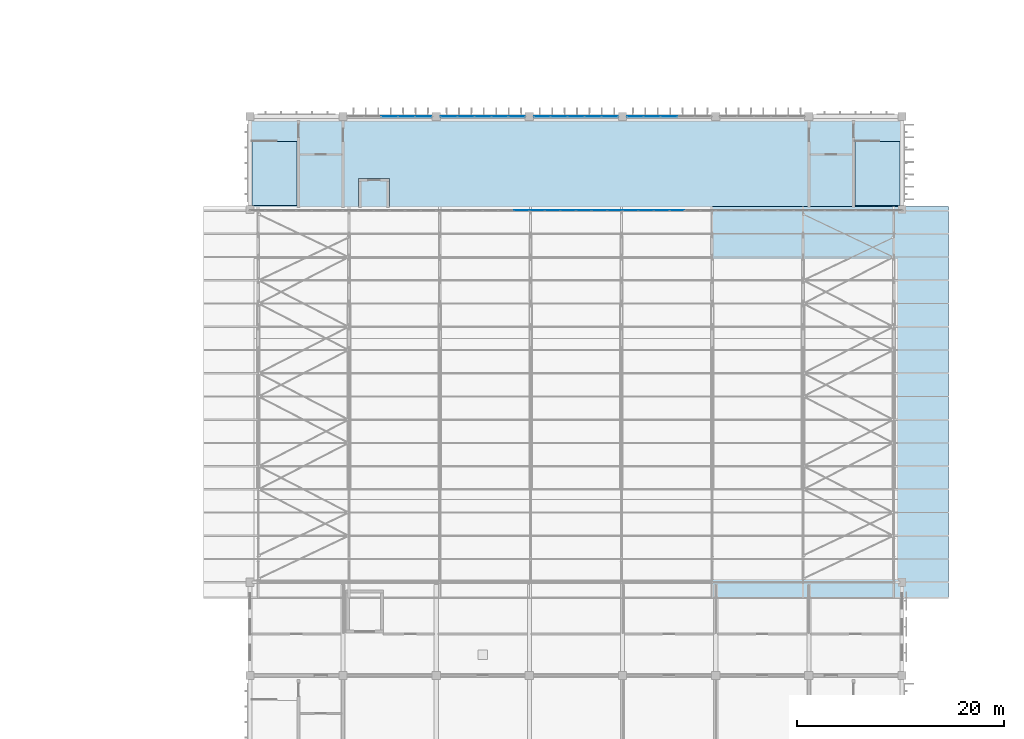
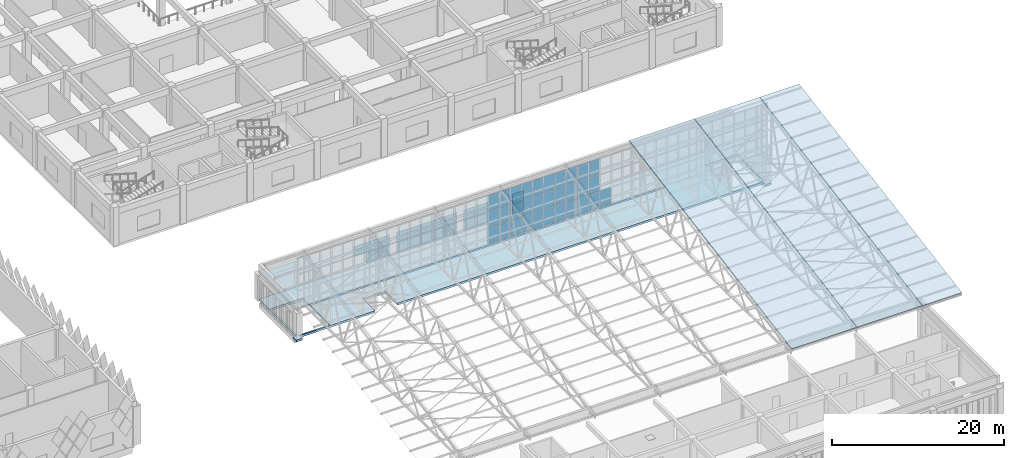
# One storey, part 95 of 185: 62 plates, 5 slabs, 5 elements without a shape of their own.
"""IFC4 building model written with IfcOpenShell, lengths in metres."""

from ifc_helpers import new_model, si_unit, direction, frame, origin, origin_2d, place, context, subcontext, project, spatial, polyline, rectangle, outline, extrude, material, layer, layer_set, type_object, element, aggregate, save


model = new_model("IFC4")

# Units and contexts
model_context = context("Model", 3, precision=1e-05, world=origin(), true_north=direction((0.0, 1.0)))
body_context = subcontext(model_context, "Body", "Model", "MODEL_VIEW")
ifc_project = project(units=[si_unit("LENGTHUNIT", "METRE"), si_unit("AREAUNIT", "SQUARE_METRE"), si_unit("VOLUMEUNIT", "CUBIC_METRE"), si_unit("PLANEANGLEUNIT", "RADIAN"), si_unit("MASSUNIT", "GRAM", prefix="KILO")], contexts=[model_context])

# Site, building, storey
site_placement = place(None, origin())
site = spatial("IfcSite", under=ifc_project, at=site_placement, CompositionType="ELEMENT")
building_placement = place(site_placement, origin())
building = spatial("IfcBuilding", under=site, at=building_placement, Name="Opaline Strait Convention Centre", CompositionType="ELEMENT")
storey_placement = place(building_placement, frame((0.0, 0.0, 6.0)))
storey = spatial("IfcBuildingStorey", under=building, at=storey_placement, Name="L01", CompositionType="ELEMENT", Elevation=6.0)

# Curtain wall, plates
ifc_material_1 = material(Name="Aluminium 6063-T5", Category="aluminium")
ifc_layer_1 = layer(ifc_material_1, 0.199951171875)
ifc_layer_set_1 = layer_set([ifc_layer_1], Name="Aluminium 6063-T5")
curtain_wall_type = type_object("IfcCurtainWallType", Name="Unitised curtain wall 1640 module", PredefinedType="NOTDEFINED", material=ifc_layer_set_1)
curtain_wall_1_placement = place(storey_placement, origin())
curtain_wall_1 = element("IfcCurtainWall", 1, at=curtain_wall_1_placement, inside=storey, type_object=curtain_wall_type, Name="Ballroom north curtain wall L01 bay 2", PredefinedType="NOTDEFINED")
ifc_material_2 = material(Name="Double glazed unit low emissivity", Category="glass")
ifc_layer_2 = layer(ifc_material_2, 0.028076171875)
ifc_layer_set_2 = layer_set([ifc_layer_2], Name="Double glazed unit low emissivity")
plate_type = type_object("IfcPlateType", Name="Curtain wall glass panel 28", PredefinedType="CURTAIN_PANEL", material=ifc_layer_set_2)
plate_1_placement = place(storey_placement, frame((301.5, 72.0, 1.554931640625), z_axis=(0.0, 0.0, 1.0), x_axis=(1.0, 0.0, 0.0)))
plate_1 = element("IfcPlate", 2, at=plate_1_placement, type_object=plate_type, Name="BG2 panel 3.2", PredefinedType="CURTAIN_PANEL", context=body_context, shape_type="SweptSolid", body=[
    extrude(rectangle(XDim=1.580078125, YDim=0.028076171875, at=origin_2d()), origin(), (0.0, 0.0, 1.0), 1.43505859375),
])
plate_2_placement = place(storey_placement, frame((303.14013671875, 72.0, 0.06005859375), z_axis=(0.0, 0.0, 1.0), x_axis=(1.0, 0.0, 0.0)))
plate_2 = element("IfcPlate", 3, at=plate_2_placement, type_object=plate_type, Name="BG2 panel 4.1", PredefinedType="CURTAIN_PANEL", context=body_context, shape_type="SweptSolid", body=[
    extrude(rectangle(XDim=1.580078125, YDim=0.028076171875, at=origin_2d()), origin(), (0.0, 0.0, 1.0), 1.43505859375),
])
plate_3_placement = place(storey_placement, frame((303.14013671875, 72.0, 1.554931640625), z_axis=(0.0, 0.0, 1.0), x_axis=(1.0, 0.0, 0.0)))
plate_3 = element("IfcPlate", 4, at=plate_3_placement, type_object=plate_type, Name="BG2 panel 4.2", PredefinedType="CURTAIN_PANEL", context=body_context, shape_type="SweptSolid", body=[
    extrude(rectangle(XDim=1.580078125, YDim=0.028076171875, at=origin_2d()), origin(), (0.0, 0.0, 1.0), 1.43505859375),
])
plate_4_placement = place(storey_placement, frame((304.76513671875, 72.0, 0.06005859375), z_axis=(0.0, 0.0, 1.0), x_axis=(1.0, 0.0, 0.0)))
plate_4 = element("IfcPlate", 5, at=plate_4_placement, type_object=plate_type, Name="BG2 panel 5.1", PredefinedType="CURTAIN_PANEL", context=body_context, shape_type="SweptSolid", body=[
    extrude(rectangle(XDim=1.550048828125, YDim=0.028076171875, at=origin_2d()), origin(), (0.0, 0.0, 1.0), 1.43505859375),
])
plate_5_placement = place(storey_placement, frame((304.76513671875, 72.0, 1.554931640625), z_axis=(0.0, 0.0, 1.0), x_axis=(1.0, 0.0, 0.0)))
plate_5 = element("IfcPlate", 6, at=plate_5_placement, type_object=plate_type, Name="BG2 panel 5.2", PredefinedType="CURTAIN_PANEL", context=body_context, shape_type="SweptSolid", body=[
    extrude(rectangle(XDim=1.550048828125, YDim=0.028076171875, at=origin_2d()), origin(), (0.0, 0.0, 1.0), 1.43505859375),
])
aggregate(curtain_wall_1, [plate_1, plate_2, plate_3, plate_4, plate_5])

curtain_wall_2_placement = place(storey_placement, origin())
curtain_wall_2 = element("IfcCurtainWall", 7, at=curtain_wall_2_placement, inside=storey, type_object=curtain_wall_type, Name="Ballroom north curtain wall L01 bay 3", PredefinedType="NOTDEFINED")
plate_6_placement = place(storey_placement, frame((307.23486328125, 72.0, 0.06005859375), z_axis=(0.0, 0.0, 1.0), x_axis=(1.0, 0.0, 0.0)))
plate_6 = element("IfcPlate", 8, at=plate_6_placement, type_object=plate_type, Name="BG2 panel 1.1", PredefinedType="CURTAIN_PANEL", context=body_context, shape_type="SweptSolid", body=[
    extrude(rectangle(XDim=1.550048828125, YDim=0.028076171875, at=origin_2d()), origin(), (0.0, 0.0, 1.0), 1.43505859375),
])
plate_7_placement = place(storey_placement, frame((307.23486328125, 72.0, 1.554931640625), z_axis=(0.0, 0.0, 1.0), x_axis=(1.0, 0.0, 0.0)))
plate_7 = element("IfcPlate", 9, at=plate_7_placement, type_object=plate_type, Name="BG2 panel 1.2", PredefinedType="CURTAIN_PANEL", context=body_context, shape_type="SweptSolid", body=[
    extrude(rectangle(XDim=1.550048828125, YDim=0.028076171875, at=origin_2d()), origin(), (0.0, 0.0, 1.0), 1.43505859375),
])
plate_8_placement = place(storey_placement, frame((308.85986328125, 72.0, 0.06005859375), z_axis=(0.0, 0.0, 1.0), x_axis=(1.0, 0.0, 0.0)))
plate_8 = element("IfcPlate", 10, at=plate_8_placement, type_object=plate_type, Name="BG2 panel 2.1", PredefinedType="CURTAIN_PANEL", context=body_context, shape_type="SweptSolid", body=[
    extrude(rectangle(XDim=1.580078125, YDim=0.028076171875, at=origin_2d()), origin(), (0.0, 0.0, 1.0), 1.43505859375),
])
plate_9_placement = place(storey_placement, frame((308.85986328125, 72.0, 1.554931640625), z_axis=(0.0, 0.0, 1.0), x_axis=(1.0, 0.0, 0.0)))
plate_9 = element("IfcPlate", 11, at=plate_9_placement, type_object=plate_type, Name="BG2 panel 2.2", PredefinedType="CURTAIN_PANEL", context=body_context, shape_type="SweptSolid", body=[
    extrude(rectangle(XDim=1.580078125, YDim=0.028076171875, at=origin_2d()), origin(), (0.0, 0.0, 1.0), 1.43505859375),
])
plate_10_placement = place(storey_placement, frame((310.5, 72.0, 0.06005859375), z_axis=(0.0, 0.0, 1.0), x_axis=(1.0, 0.0, 0.0)))
plate_10 = element("IfcPlate", 12, at=plate_10_placement, type_object=plate_type, Name="BG2 panel 3.1", PredefinedType="CURTAIN_PANEL", context=body_context, shape_type="SweptSolid", body=[
    extrude(rectangle(XDim=1.580078125, YDim=0.028076171875, at=origin_2d()), origin(), (0.0, 0.0, 1.0), 1.43505859375),
])
plate_11_placement = place(storey_placement, frame((310.5, 72.0, 1.554931640625), z_axis=(0.0, 0.0, 1.0), x_axis=(1.0, 0.0, 0.0)))
plate_11 = element("IfcPlate", 13, at=plate_11_placement, type_object=plate_type, Name="BG2 panel 3.2", PredefinedType="CURTAIN_PANEL", context=body_context, shape_type="SweptSolid", body=[
    extrude(rectangle(XDim=1.580078125, YDim=0.028076171875, at=origin_2d()), origin(), (0.0, 0.0, 1.0), 1.43505859375),
])
plate_12_placement = place(storey_placement, frame((312.14013671875, 72.0, 0.06005859375), z_axis=(0.0, 0.0, 1.0), x_axis=(1.0, 0.0, 0.0)))
plate_12 = element("IfcPlate", 14, at=plate_12_placement, type_object=plate_type, Name="BG2 panel 4.1", PredefinedType="CURTAIN_PANEL", context=body_context, shape_type="SweptSolid", body=[
    extrude(rectangle(XDim=1.580078125, YDim=0.028076171875, at=origin_2d()), origin(), (0.0, 0.0, 1.0), 1.43505859375),
])
plate_13_placement = place(storey_placement, frame((312.14013671875, 72.0, 1.554931640625), z_axis=(0.0, 0.0, 1.0), x_axis=(1.0, 0.0, 0.0)))
plate_13 = element("IfcPlate", 15, at=plate_13_placement, type_object=plate_type, Name="BG2 panel 4.2", PredefinedType="CURTAIN_PANEL", context=body_context, shape_type="SweptSolid", body=[
    extrude(rectangle(XDim=1.580078125, YDim=0.028076171875, at=origin_2d()), origin(), (0.0, 0.0, 1.0), 1.43505859375),
])
plate_14_placement = place(storey_placement, frame((313.76513671875, 72.0, 0.06005859375), z_axis=(0.0, 0.0, 1.0), x_axis=(1.0, 0.0, 0.0)))
plate_14 = element("IfcPlate", 16, at=plate_14_placement, type_object=plate_type, Name="BG2 panel 5.1", PredefinedType="CURTAIN_PANEL", context=body_context, shape_type="SweptSolid", body=[
    extrude(rectangle(XDim=1.550048828125, YDim=0.028076171875, at=origin_2d()), origin(), (0.0, 0.0, 1.0), 1.43505859375),
])
plate_15_placement = place(storey_placement, frame((313.76513671875, 72.0, 1.554931640625), z_axis=(0.0, 0.0, 1.0), x_axis=(1.0, 0.0, 0.0)))
plate_15 = element("IfcPlate", 17, at=plate_15_placement, type_object=plate_type, Name="BG2 panel 5.2", PredefinedType="CURTAIN_PANEL", context=body_context, shape_type="SweptSolid", body=[
    extrude(rectangle(XDim=1.550048828125, YDim=0.028076171875, at=origin_2d()), origin(), (0.0, 0.0, 1.0), 1.43505859375),
])
aggregate(curtain_wall_2, [plate_6, plate_7, plate_8, plate_9, plate_10, plate_11, plate_12, plate_13, plate_14, plate_15])

curtain_wall_3_placement = place(storey_placement, origin())
curtain_wall_3 = element("IfcCurtainWall", 18, at=curtain_wall_3_placement, inside=storey, type_object=curtain_wall_type, Name="Ballroom north curtain wall L01 bay 4", PredefinedType="NOTDEFINED")
plate_16_placement = place(storey_placement, frame((316.23486328125, 72.0, 0.06005859375), z_axis=(0.0, 0.0, 1.0), x_axis=(1.0, 0.0, 0.0)))
plate_16 = element("IfcPlate", 19, at=plate_16_placement, type_object=plate_type, Name="BG2 panel 1.1", PredefinedType="CURTAIN_PANEL", context=body_context, shape_type="SweptSolid", body=[
    extrude(rectangle(XDim=1.550048828125, YDim=0.028076171875, at=origin_2d()), origin(), (0.0, 0.0, 1.0), 1.43505859375),
])
plate_17_placement = place(storey_placement, frame((316.23486328125, 72.0, 1.554931640625), z_axis=(0.0, 0.0, 1.0), x_axis=(1.0, 0.0, 0.0)))
plate_17 = element("IfcPlate", 20, at=plate_17_placement, type_object=plate_type, Name="BG2 panel 1.2", PredefinedType="CURTAIN_PANEL", context=body_context, shape_type="SweptSolid", body=[
    extrude(rectangle(XDim=1.550048828125, YDim=0.028076171875, at=origin_2d()), origin(), (0.0, 0.0, 1.0), 1.43505859375),
])
plate_18_placement = place(storey_placement, frame((317.85986328125, 72.0, 0.06005859375), z_axis=(0.0, 0.0, 1.0), x_axis=(1.0, 0.0, 0.0)))
plate_18 = element("IfcPlate", 21, at=plate_18_placement, type_object=plate_type, Name="BG2 panel 2.1", PredefinedType="CURTAIN_PANEL", context=body_context, shape_type="SweptSolid", body=[
    extrude(rectangle(XDim=1.580078125, YDim=0.028076171875, at=origin_2d()), origin(), (0.0, 0.0, 1.0), 1.43505859375),
])
plate_19_placement = place(storey_placement, frame((317.85986328125, 72.0, 1.554931640625), z_axis=(0.0, 0.0, 1.0), x_axis=(1.0, 0.0, 0.0)))
plate_19 = element("IfcPlate", 22, at=plate_19_placement, type_object=plate_type, Name="BG2 panel 2.2", PredefinedType="CURTAIN_PANEL", context=body_context, shape_type="SweptSolid", body=[
    extrude(rectangle(XDim=1.580078125, YDim=0.028076171875, at=origin_2d()), origin(), (0.0, 0.0, 1.0), 1.43505859375),
])
plate_20_placement = place(storey_placement, frame((319.5, 72.0, 0.06005859375), z_axis=(0.0, 0.0, 1.0), x_axis=(1.0, 0.0, 0.0)))
plate_20 = element("IfcPlate", 23, at=plate_20_placement, type_object=plate_type, Name="BG2 panel 3.1", PredefinedType="CURTAIN_PANEL", context=body_context, shape_type="SweptSolid", body=[
    extrude(rectangle(XDim=1.580078125, YDim=0.028076171875, at=origin_2d()), origin(), (0.0, 0.0, 1.0), 1.43505859375),
])
plate_21_placement = place(storey_placement, frame((319.5, 72.0, 1.554931640625), z_axis=(0.0, 0.0, 1.0), x_axis=(1.0, 0.0, 0.0)))
plate_21 = element("IfcPlate", 24, at=plate_21_placement, type_object=plate_type, Name="BG2 panel 3.2", PredefinedType="CURTAIN_PANEL", context=body_context, shape_type="SweptSolid", body=[
    extrude(rectangle(XDim=1.580078125, YDim=0.028076171875, at=origin_2d()), origin(), (0.0, 0.0, 1.0), 1.43505859375),
])
plate_22_placement = place(storey_placement, frame((321.14013671875, 72.0, 0.06005859375), z_axis=(0.0, 0.0, 1.0), x_axis=(1.0, 0.0, 0.0)))
plate_22 = element("IfcPlate", 25, at=plate_22_placement, type_object=plate_type, Name="BG2 panel 4.1", PredefinedType="CURTAIN_PANEL", context=body_context, shape_type="SweptSolid", body=[
    extrude(rectangle(XDim=1.580078125, YDim=0.028076171875, at=origin_2d()), origin(), (0.0, 0.0, 1.0), 1.43505859375),
])
plate_23_placement = place(storey_placement, frame((321.14013671875, 72.0, 1.554931640625), z_axis=(0.0, 0.0, 1.0), x_axis=(1.0, 0.0, 0.0)))
plate_23 = element("IfcPlate", 26, at=plate_23_placement, type_object=plate_type, Name="BG2 panel 4.2", PredefinedType="CURTAIN_PANEL", context=body_context, shape_type="SweptSolid", body=[
    extrude(rectangle(XDim=1.580078125, YDim=0.028076171875, at=origin_2d()), origin(), (0.0, 0.0, 1.0), 1.43505859375),
])
plate_24_placement = place(storey_placement, frame((322.76513671875, 72.0, 0.06005859375), z_axis=(0.0, 0.0, 1.0), x_axis=(1.0, 0.0, 0.0)))
plate_24 = element("IfcPlate", 27, at=plate_24_placement, type_object=plate_type, Name="BG2 panel 5.1", PredefinedType="CURTAIN_PANEL", context=body_context, shape_type="SweptSolid", body=[
    extrude(rectangle(XDim=1.550048828125, YDim=0.028076171875, at=origin_2d()), origin(), (0.0, 0.0, 1.0), 1.43505859375),
])
plate_25_placement = place(storey_placement, frame((322.76513671875, 72.0, 1.554931640625), z_axis=(0.0, 0.0, 1.0), x_axis=(1.0, 0.0, 0.0)))
plate_25 = element("IfcPlate", 28, at=plate_25_placement, type_object=plate_type, Name="BG2 panel 5.2", PredefinedType="CURTAIN_PANEL", context=body_context, shape_type="SweptSolid", body=[
    extrude(rectangle(XDim=1.550048828125, YDim=0.028076171875, at=origin_2d()), origin(), (0.0, 0.0, 1.0), 1.43505859375),
])
aggregate(curtain_wall_3, [plate_16, plate_17, plate_18, plate_19, plate_20, plate_21, plate_22, plate_23, plate_24, plate_25])

curtain_wall_4_placement = place(storey_placement, origin())
curtain_wall_4 = element("IfcCurtainWall", 29, at=curtain_wall_4_placement, inside=storey, type_object=curtain_wall_type, Name="Ballroom north curtain wall L01 bay 5", PredefinedType="NOTDEFINED")
plate_26_placement = place(storey_placement, frame((325.23486328125, 72.0, 0.06005859375), z_axis=(0.0, 0.0, 1.0), x_axis=(1.0, 0.0, 0.0)))
plate_26 = element("IfcPlate", 30, at=plate_26_placement, type_object=plate_type, Name="BG2 panel 1.1", PredefinedType="CURTAIN_PANEL", context=body_context, shape_type="SweptSolid", body=[
    extrude(rectangle(XDim=1.550048828125, YDim=0.028076171875, at=origin_2d()), origin(), (0.0, 0.0, 1.0), 1.43505859375),
])
plate_27_placement = place(storey_placement, frame((325.23486328125, 72.0, 1.554931640625), z_axis=(0.0, 0.0, 1.0), x_axis=(1.0, 0.0, 0.0)))
plate_27 = element("IfcPlate", 31, at=plate_27_placement, type_object=plate_type, Name="BG2 panel 1.2", PredefinedType="CURTAIN_PANEL", context=body_context, shape_type="SweptSolid", body=[
    extrude(rectangle(XDim=1.550048828125, YDim=0.028076171875, at=origin_2d()), origin(), (0.0, 0.0, 1.0), 1.43505859375),
])
plate_28_placement = place(storey_placement, frame((326.85986328125, 72.0, 0.06005859375), z_axis=(0.0, 0.0, 1.0), x_axis=(1.0, 0.0, 0.0)))
plate_28 = element("IfcPlate", 32, at=plate_28_placement, type_object=plate_type, Name="BG2 panel 2.1", PredefinedType="CURTAIN_PANEL", context=body_context, shape_type="SweptSolid", body=[
    extrude(rectangle(XDim=1.580078125, YDim=0.028076171875, at=origin_2d()), origin(), (0.0, 0.0, 1.0), 1.43505859375),
])
plate_29_placement = place(storey_placement, frame((326.85986328125, 72.0, 1.554931640625), z_axis=(0.0, 0.0, 1.0), x_axis=(1.0, 0.0, 0.0)))
plate_29 = element("IfcPlate", 33, at=plate_29_placement, type_object=plate_type, Name="BG2 panel 2.2", PredefinedType="CURTAIN_PANEL", context=body_context, shape_type="SweptSolid", body=[
    extrude(rectangle(XDim=1.580078125, YDim=0.028076171875, at=origin_2d()), origin(), (0.0, 0.0, 1.0), 1.43505859375),
])
plate_30_placement = place(storey_placement, frame((328.5, 72.0, 0.06005859375), z_axis=(0.0, 0.0, 1.0), x_axis=(1.0, 0.0, 0.0)))
plate_30 = element("IfcPlate", 34, at=plate_30_placement, type_object=plate_type, Name="BG2 panel 3.1", PredefinedType="CURTAIN_PANEL", context=body_context, shape_type="SweptSolid", body=[
    extrude(rectangle(XDim=1.580078125, YDim=0.028076171875, at=origin_2d()), origin(), (0.0, 0.0, 1.0), 1.43505859375),
])
plate_31_placement = place(storey_placement, frame((328.5, 72.0, 1.554931640625), z_axis=(0.0, 0.0, 1.0), x_axis=(1.0, 0.0, 0.0)))
plate_31 = element("IfcPlate", 35, at=plate_31_placement, type_object=plate_type, Name="BG2 panel 3.2", PredefinedType="CURTAIN_PANEL", context=body_context, shape_type="SweptSolid", body=[
    extrude(rectangle(XDim=1.580078125, YDim=0.028076171875, at=origin_2d()), origin(), (0.0, 0.0, 1.0), 1.43505859375),
])
aggregate(curtain_wall_4, [plate_26, plate_27, plate_28, plate_29, plate_30, plate_31])

curtain_wall_5_placement = place(storey_placement, origin())
curtain_wall_5 = element("IfcCurtainWall", 36, at=curtain_wall_5_placement, inside=storey, type_object=curtain_wall_type, Name="Ballroom north clerestory curtain wall", PredefinedType="NOTDEFINED")
plate_32_placement = place(storey_placement, frame((314.244873046875, 62.929931640625, 4.384765625), z_axis=(0.0, 0.0, 1.0), x_axis=(1.0, 0.0, 0.0)))
plate_32 = element("IfcPlate", 37, at=plate_32_placement, type_object=plate_type, Name="BG2 panel 18.1", PredefinedType="CURTAIN_PANEL", context=body_context, shape_type="SweptSolid", body=[
    extrude(rectangle(XDim=1.44140625, YDim=0.028076171875, at=origin_2d()), origin(), (0.0, 0.0, 1.0), 2.248291015625),
])
plate_33_placement = place(storey_placement, frame((314.244873046875, 62.929931640625, 6.693359375), z_axis=(0.0, 0.0, 1.0), x_axis=(1.0, 0.0, 0.0)))
plate_33 = element("IfcPlate", 38, at=plate_33_placement, type_object=plate_type, Name="BG2 panel 18.2", PredefinedType="CURTAIN_PANEL", context=body_context, shape_type="SweptSolid", body=[
    extrude(rectangle(XDim=1.44140625, YDim=0.028076171875, at=origin_2d()), origin(), (0.0, 0.0, 1.0), 2.2783203125),
])
plate_34_placement = place(storey_placement, frame((314.244873046875, 62.929931640625, 9.03173828125), z_axis=(0.0, 0.0, 1.0), x_axis=(1.0, 0.0, 0.0)))
plate_34 = element("IfcPlate", 39, at=plate_34_placement, type_object=plate_type, Name="BG2 panel 18.3", PredefinedType="CURTAIN_PANEL", context=body_context, shape_type="SweptSolid", body=[
    extrude(rectangle(XDim=1.44140625, YDim=0.028076171875, at=origin_2d()), origin(), (0.0, 0.0, 1.0), 2.248291015625),
])
plate_35_placement = place(storey_placement, frame((315.746337890625, 62.929931640625, 4.384765625), z_axis=(0.0, 0.0, 1.0), x_axis=(1.0, 0.0, 0.0)))
plate_35 = element("IfcPlate", 40, at=plate_35_placement, type_object=plate_type, Name="BG2 panel 19.1", PredefinedType="CURTAIN_PANEL", context=body_context, shape_type="SweptSolid", body=[
    extrude(rectangle(XDim=1.44140625, YDim=0.028076171875, at=origin_2d()), origin(), (0.0, 0.0, 1.0), 2.248291015625),
])
plate_36_placement = place(storey_placement, frame((315.746337890625, 62.929931640625, 6.693359375), z_axis=(0.0, 0.0, 1.0), x_axis=(1.0, 0.0, 0.0)))
plate_36 = element("IfcPlate", 41, at=plate_36_placement, type_object=plate_type, Name="BG2 panel 19.2", PredefinedType="CURTAIN_PANEL", context=body_context, shape_type="SweptSolid", body=[
    extrude(rectangle(XDim=1.44140625, YDim=0.028076171875, at=origin_2d()), origin(), (0.0, 0.0, 1.0), 2.2783203125),
])
plate_37_placement = place(storey_placement, frame((315.746337890625, 62.929931640625, 9.03173828125), z_axis=(0.0, 0.0, 1.0), x_axis=(1.0, 0.0, 0.0)))
plate_37 = element("IfcPlate", 42, at=plate_37_placement, type_object=plate_type, Name="BG2 panel 19.3", PredefinedType="CURTAIN_PANEL", context=body_context, shape_type="SweptSolid", body=[
    extrude(rectangle(XDim=1.44140625, YDim=0.028076171875, at=origin_2d()), origin(), (0.0, 0.0, 1.0), 2.248291015625),
])
plate_38_placement = place(storey_placement, frame((317.247802734375, 62.929931640625, 4.384765625), z_axis=(0.0, 0.0, 1.0), x_axis=(1.0, 0.0, 0.0)))
plate_38 = element("IfcPlate", 43, at=plate_38_placement, type_object=plate_type, Name="BG2 panel 20.1", PredefinedType="CURTAIN_PANEL", context=body_context, shape_type="SweptSolid", body=[
    extrude(rectangle(XDim=1.44140625, YDim=0.028076171875, at=origin_2d()), origin(), (0.0, 0.0, 1.0), 2.248291015625),
])
plate_39_placement = place(storey_placement, frame((317.247802734375, 62.929931640625, 6.693359375), z_axis=(0.0, 0.0, 1.0), x_axis=(1.0, 0.0, 0.0)))
plate_39 = element("IfcPlate", 44, at=plate_39_placement, type_object=plate_type, Name="BG2 panel 20.2", PredefinedType="CURTAIN_PANEL", context=body_context, shape_type="SweptSolid", body=[
    extrude(rectangle(XDim=1.44140625, YDim=0.028076171875, at=origin_2d()), origin(), (0.0, 0.0, 1.0), 2.2783203125),
])
plate_40_placement = place(storey_placement, frame((317.247802734375, 62.929931640625, 9.03173828125), z_axis=(0.0, 0.0, 1.0), x_axis=(1.0, 0.0, 0.0)))
plate_40 = element("IfcPlate", 45, at=plate_40_placement, type_object=plate_type, Name="BG2 panel 20.3", PredefinedType="CURTAIN_PANEL", context=body_context, shape_type="SweptSolid", body=[
    extrude(rectangle(XDim=1.44140625, YDim=0.028076171875, at=origin_2d()), origin(), (0.0, 0.0, 1.0), 2.248291015625),
])
plate_41_placement = place(storey_placement, frame((318.749267578125, 62.929931640625, 4.384765625), z_axis=(0.0, 0.0, 1.0), x_axis=(1.0, 0.0, 0.0)))
plate_41 = element("IfcPlate", 46, at=plate_41_placement, type_object=plate_type, Name="BG2 panel 21.1", PredefinedType="CURTAIN_PANEL", context=body_context, shape_type="SweptSolid", body=[
    extrude(rectangle(XDim=1.44140625, YDim=0.028076171875, at=origin_2d()), origin(), (0.0, 0.0, 1.0), 2.248291015625),
])
plate_42_placement = place(storey_placement, frame((318.749267578125, 62.929931640625, 6.693359375), z_axis=(0.0, 0.0, 1.0), x_axis=(1.0, 0.0, 0.0)))
plate_42 = element("IfcPlate", 47, at=plate_42_placement, type_object=plate_type, Name="BG2 panel 21.2", PredefinedType="CURTAIN_PANEL", context=body_context, shape_type="SweptSolid", body=[
    extrude(rectangle(XDim=1.44140625, YDim=0.028076171875, at=origin_2d()), origin(), (0.0, 0.0, 1.0), 2.2783203125),
])
plate_43_placement = place(storey_placement, frame((318.749267578125, 62.929931640625, 9.03173828125), z_axis=(0.0, 0.0, 1.0), x_axis=(1.0, 0.0, 0.0)))
plate_43 = element("IfcPlate", 48, at=plate_43_placement, type_object=plate_type, Name="BG2 panel 21.3", PredefinedType="CURTAIN_PANEL", context=body_context, shape_type="SweptSolid", body=[
    extrude(rectangle(XDim=1.44140625, YDim=0.028076171875, at=origin_2d()), origin(), (0.0, 0.0, 1.0), 2.248291015625),
])
plate_44_placement = place(storey_placement, frame((320.250732421875, 62.929931640625, 4.384765625), z_axis=(0.0, 0.0, 1.0), x_axis=(1.0, 0.0, 0.0)))
plate_44 = element("IfcPlate", 49, at=plate_44_placement, type_object=plate_type, Name="BG2 panel 22.1", PredefinedType="CURTAIN_PANEL", context=body_context, shape_type="SweptSolid", body=[
    extrude(rectangle(XDim=1.44140625, YDim=0.028076171875, at=origin_2d()), origin(), (0.0, 0.0, 1.0), 2.248291015625),
])
plate_45_placement = place(storey_placement, frame((320.250732421875, 62.929931640625, 6.693359375), z_axis=(0.0, 0.0, 1.0), x_axis=(1.0, 0.0, 0.0)))
plate_45 = element("IfcPlate", 50, at=plate_45_placement, type_object=plate_type, Name="BG2 panel 22.2", PredefinedType="CURTAIN_PANEL", context=body_context, shape_type="SweptSolid", body=[
    extrude(rectangle(XDim=1.44140625, YDim=0.028076171875, at=origin_2d()), origin(), (0.0, 0.0, 1.0), 2.2783203125),
])
plate_46_placement = place(storey_placement, frame((320.250732421875, 62.929931640625, 9.03173828125), z_axis=(0.0, 0.0, 1.0), x_axis=(1.0, 0.0, 0.0)))
plate_46 = element("IfcPlate", 51, at=plate_46_placement, type_object=plate_type, Name="BG2 panel 22.3", PredefinedType="CURTAIN_PANEL", context=body_context, shape_type="SweptSolid", body=[
    extrude(rectangle(XDim=1.44140625, YDim=0.028076171875, at=origin_2d()), origin(), (0.0, 0.0, 1.0), 2.248291015625),
])
plate_47_placement = place(storey_placement, frame((321.752197265625, 62.929931640625, 4.384765625), z_axis=(0.0, 0.0, 1.0), x_axis=(1.0, 0.0, 0.0)))
plate_47 = element("IfcPlate", 52, at=plate_47_placement, type_object=plate_type, Name="BG2 panel 23.1", PredefinedType="CURTAIN_PANEL", context=body_context, shape_type="SweptSolid", body=[
    extrude(rectangle(XDim=1.44140625, YDim=0.028076171875, at=origin_2d()), origin(), (0.0, 0.0, 1.0), 2.248291015625),
])
plate_48_placement = place(storey_placement, frame((321.752197265625, 62.929931640625, 6.693359375), z_axis=(0.0, 0.0, 1.0), x_axis=(1.0, 0.0, 0.0)))
plate_48 = element("IfcPlate", 53, at=plate_48_placement, type_object=plate_type, Name="BG2 panel 23.2", PredefinedType="CURTAIN_PANEL", context=body_context, shape_type="SweptSolid", body=[
    extrude(rectangle(XDim=1.44140625, YDim=0.028076171875, at=origin_2d()), origin(), (0.0, 0.0, 1.0), 2.2783203125),
])
plate_49_placement = place(storey_placement, frame((321.752197265625, 62.929931640625, 9.03173828125), z_axis=(0.0, 0.0, 1.0), x_axis=(1.0, 0.0, 0.0)))
plate_49 = element("IfcPlate", 54, at=plate_49_placement, type_object=plate_type, Name="BG2 panel 23.3", PredefinedType="CURTAIN_PANEL", context=body_context, shape_type="SweptSolid", body=[
    extrude(rectangle(XDim=1.44140625, YDim=0.028076171875, at=origin_2d()), origin(), (0.0, 0.0, 1.0), 2.248291015625),
])
plate_50_placement = place(storey_placement, frame((323.253662109375, 62.929931640625, 4.384765625), z_axis=(0.0, 0.0, 1.0), x_axis=(1.0, 0.0, 0.0)))
plate_50 = element("IfcPlate", 55, at=plate_50_placement, type_object=plate_type, Name="BG2 panel 24.1", PredefinedType="CURTAIN_PANEL", context=body_context, shape_type="SweptSolid", body=[
    extrude(rectangle(XDim=1.44140625, YDim=0.028076171875, at=origin_2d()), origin(), (0.0, 0.0, 1.0), 2.248291015625),
])
plate_51_placement = place(storey_placement, frame((323.253662109375, 62.929931640625, 6.693359375), z_axis=(0.0, 0.0, 1.0), x_axis=(1.0, 0.0, 0.0)))
plate_51 = element("IfcPlate", 56, at=plate_51_placement, type_object=plate_type, Name="BG2 panel 24.2", PredefinedType="CURTAIN_PANEL", context=body_context, shape_type="SweptSolid", body=[
    extrude(rectangle(XDim=1.44140625, YDim=0.028076171875, at=origin_2d()), origin(), (0.0, 0.0, 1.0), 2.2783203125),
])
plate_52_placement = place(storey_placement, frame((323.253662109375, 62.929931640625, 9.03173828125), z_axis=(0.0, 0.0, 1.0), x_axis=(1.0, 0.0, 0.0)))
plate_52 = element("IfcPlate", 57, at=plate_52_placement, type_object=plate_type, Name="BG2 panel 24.3", PredefinedType="CURTAIN_PANEL", context=body_context, shape_type="SweptSolid", body=[
    extrude(rectangle(XDim=1.44140625, YDim=0.028076171875, at=origin_2d()), origin(), (0.0, 0.0, 1.0), 2.248291015625),
])
plate_53_placement = place(storey_placement, frame((324.755126953125, 62.929931640625, 4.384765625), z_axis=(0.0, 0.0, 1.0), x_axis=(1.0, 0.0, 0.0)))
plate_53 = element("IfcPlate", 58, at=plate_53_placement, type_object=plate_type, Name="BG2 panel 25.1", PredefinedType="CURTAIN_PANEL", context=body_context, shape_type="SweptSolid", body=[
    extrude(rectangle(XDim=1.44140625, YDim=0.028076171875, at=origin_2d()), origin(), (0.0, 0.0, 1.0), 2.248291015625),
])
plate_54_placement = place(storey_placement, frame((324.755126953125, 62.929931640625, 6.693359375), z_axis=(0.0, 0.0, 1.0), x_axis=(1.0, 0.0, 0.0)))
plate_54 = element("IfcPlate", 59, at=plate_54_placement, type_object=plate_type, Name="BG2 panel 25.2", PredefinedType="CURTAIN_PANEL", context=body_context, shape_type="SweptSolid", body=[
    extrude(rectangle(XDim=1.44140625, YDim=0.028076171875, at=origin_2d()), origin(), (0.0, 0.0, 1.0), 2.2783203125),
])
plate_55_placement = place(storey_placement, frame((324.755126953125, 62.929931640625, 9.03173828125), z_axis=(0.0, 0.0, 1.0), x_axis=(1.0, 0.0, 0.0)))
plate_55 = element("IfcPlate", 60, at=plate_55_placement, type_object=plate_type, Name="BG2 panel 25.3", PredefinedType="CURTAIN_PANEL", context=body_context, shape_type="SweptSolid", body=[
    extrude(rectangle(XDim=1.44140625, YDim=0.028076171875, at=origin_2d()), origin(), (0.0, 0.0, 1.0), 2.248291015625),
])
plate_56_placement = place(storey_placement, frame((326.25634765625, 62.929931640625, 4.384765625), z_axis=(0.0, 0.0, 1.0), x_axis=(1.0, 0.0, 0.0)))
plate_56 = element("IfcPlate", 61, at=plate_56_placement, type_object=plate_type, Name="BG2 panel 26.1", PredefinedType="CURTAIN_PANEL", context=body_context, shape_type="SweptSolid", body=[
    extrude(rectangle(XDim=1.44140625, YDim=0.028076171875, at=origin_2d()), origin(), (0.0, 0.0, 1.0), 2.248291015625),
])
plate_57_placement = place(storey_placement, frame((326.25634765625, 62.929931640625, 6.693359375), z_axis=(0.0, 0.0, 1.0), x_axis=(1.0, 0.0, 0.0)))
plate_57 = element("IfcPlate", 62, at=plate_57_placement, type_object=plate_type, Name="BG2 panel 26.2", PredefinedType="CURTAIN_PANEL", context=body_context, shape_type="SweptSolid", body=[
    extrude(rectangle(XDim=1.44140625, YDim=0.028076171875, at=origin_2d()), origin(), (0.0, 0.0, 1.0), 2.2783203125),
])
plate_58_placement = place(storey_placement, frame((326.25634765625, 62.929931640625, 9.03173828125), z_axis=(0.0, 0.0, 1.0), x_axis=(1.0, 0.0, 0.0)))
plate_58 = element("IfcPlate", 63, at=plate_58_placement, type_object=plate_type, Name="BG2 panel 26.3", PredefinedType="CURTAIN_PANEL", context=body_context, shape_type="SweptSolid", body=[
    extrude(rectangle(XDim=1.44140625, YDim=0.028076171875, at=origin_2d()), origin(), (0.0, 0.0, 1.0), 2.248291015625),
])
plate_59_placement = place(storey_placement, frame((327.7578125, 62.929931640625, 4.384765625), z_axis=(0.0, 0.0, 1.0), x_axis=(1.0, 0.0, 0.0)))
plate_59 = element("IfcPlate", 64, at=plate_59_placement, type_object=plate_type, Name="BG2 panel 27.1", PredefinedType="CURTAIN_PANEL", context=body_context, shape_type="SweptSolid", body=[
    extrude(rectangle(XDim=1.44140625, YDim=0.028076171875, at=origin_2d()), origin(), (0.0, 0.0, 1.0), 2.248291015625),
])
plate_60_placement = place(storey_placement, frame((327.7578125, 62.929931640625, 6.693359375), z_axis=(0.0, 0.0, 1.0), x_axis=(1.0, 0.0, 0.0)))
plate_60 = element("IfcPlate", 65, at=plate_60_placement, type_object=plate_type, Name="BG2 panel 27.2", PredefinedType="CURTAIN_PANEL", context=body_context, shape_type="SweptSolid", body=[
    extrude(rectangle(XDim=1.44140625, YDim=0.028076171875, at=origin_2d()), origin(), (0.0, 0.0, 1.0), 2.2783203125),
])
plate_61_placement = place(storey_placement, frame((327.7578125, 62.929931640625, 9.03173828125), z_axis=(0.0, 0.0, 1.0), x_axis=(1.0, 0.0, 0.0)))
plate_61 = element("IfcPlate", 66, at=plate_61_placement, type_object=plate_type, Name="BG2 panel 27.3", PredefinedType="CURTAIN_PANEL", context=body_context, shape_type="SweptSolid", body=[
    extrude(rectangle(XDim=1.44140625, YDim=0.028076171875, at=origin_2d()), origin(), (0.0, 0.0, 1.0), 2.248291015625),
])
plate_62_placement = place(storey_placement, frame((329.25927734375, 62.929931640625, 4.384765625), z_axis=(0.0, 0.0, 1.0), x_axis=(1.0, 0.0, 0.0)))
plate_62 = element("IfcPlate", 67, at=plate_62_placement, type_object=plate_type, Name="BG2 panel 28.1", PredefinedType="CURTAIN_PANEL", context=body_context, shape_type="SweptSolid", body=[
    extrude(rectangle(XDim=1.44140625, YDim=0.028076171875, at=origin_2d()), origin(), (0.0, 0.0, 1.0), 2.248291015625),
])
aggregate(curtain_wall_5, [plate_32, plate_33, plate_34, plate_35, plate_36, plate_37, plate_38, plate_39, plate_40, plate_41, plate_42, plate_43, plate_44, plate_45, plate_46, plate_47, plate_48, plate_49, plate_50, plate_51, plate_52, plate_53, plate_54, plate_55, plate_56, plate_57, plate_58, plate_59, plate_60, plate_61, plate_62])

# Slabs
ifc_material_3 = material(Name="Steel S350GD+Z275", Category="steel")
ifc_layer_3 = layer(ifc_material_3, 0.10009765625)
ifc_layer_set_3 = layer_set([ifc_layer_3], Name="Steel S350GD+Z275")
slab_type_1 = type_object("IfcSlabType", Name="Roof deck steel sheet 100", PredefinedType="ROOF", material=ifc_layer_set_3)
slab_1_placement = place(storey_placement, frame((332.656982421875, 25.5, 5.479248046875), z_axis=(0.0, -0.173651076417, 0.98480724188), x_axis=(1.0, 0.0, 0.0)))
element("IfcSlab", 68, at=slab_1_placement, inside=storey, type_object=slab_type_1, Name="BDK1 roof deck bay 7", PredefinedType="ROOF", context=body_context, shape_type="SweptSolid", body=[
    extrude(outline(polyline([(0.0, 0.0), (8.771728515625, 0.0), (8.771728515625, 38.38319543220046), (0.0, 38.38319543220046), (0.0, 0.0)])), origin(), (0.0, 0.0, -1.0), 0.10009765625),
])
slab_2_placement = place(storey_placement, frame((341.4287109375, 25.5, 5.479248046875), z_axis=(0.0, -0.173651076417, 0.98480724188), x_axis=(1.0, 0.0, 0.0)))
element("IfcSlab", 69, at=slab_2_placement, inside=storey, type_object=slab_type_1, Name="BDK1 roof deck bay 8", PredefinedType="ROOF", context=body_context, shape_type="SweptSolid", body=[
    extrude(outline(polyline([(0.0, 0.0), (8.771240234375, 0.0), (8.771240234375, 38.383195432200466), (0.0, 38.383195432200466), (0.0, 0.0)])), origin(), (0.0, 0.0, -1.0), 0.10009765625),
])
slab_3_placement = place(storey_placement, frame((350.199951171875, 25.5, 5.479248046875), z_axis=(0.0, -0.173651076417, 0.98480724188), x_axis=(1.0, 0.0, 0.0)))
element("IfcSlab", 70, at=slab_3_placement, inside=storey, type_object=slab_type_1, Name="BDK1 roof deck bay 9", PredefinedType="ROOF", context=body_context, shape_type="SweptSolid", body=[
    extrude(outline(polyline([(0.0, 0.0), (5.300048828125, 0.0), (5.300048828125, 38.38319543220046), (0.0, 38.38319543220046), (0.0, 0.0)])), origin(), (0.0, 0.0, -1.0), 0.10009765625),
])
ifc_material_4 = material(Name="Concrete C35", Category="concrete")
ifc_layer_4 = layer(ifc_material_4, 0.25)
ifc_layer_set_4 = layer_set([ifc_layer_4], Name="Concrete C35")
slab_type_2 = type_object("IfcSlabType", Name="Strip roof slab 250 C35", PredefinedType="ROOF", material=ifc_layer_set_4)
slab_4_placement = place(storey_placement, frame((0.0, 0.0, 3.75)))
element("IfcSlab", 71, at=slab_4_placement, inside=storey, type_object=slab_type_2, Name="BS3 strip roof N", PredefinedType="ROOF", context=body_context, shape_type="SweptSolid", body=[
    extrude(outline(polyline([(351.0, 63.199951171875), (351.0, 72.0), (288.0, 72.0), (288.0, 63.199951171875), (351.0, 63.199951171875)])), origin(), (0.0, 0.0, 1.0), 0.25),
])
ifc_layer_5 = layer(ifc_material_4, 0.280029296875)
ifc_layer_set_5 = layer_set([ifc_layer_5], Name="Concrete C35")
slab_type_3 = type_object("IfcSlabType", Name="Suspended floor slab 280 C35", PredefinedType="FLOOR", material=ifc_layer_set_5)
slab_5_placement = place(storey_placement, frame((0.0, 0.0, -0.280029296875)))
element("IfcSlab", 72, at=slab_5_placement, inside=storey, type_object=slab_type_3, Name="BS2 mezzanine floor N", PredefinedType="FLOOR", context=body_context, shape_type="SweptSolid", body=[
    extrude(outline(polyline([(288.0, 72.0), (351.0, 72.0), (351.0, 63.39990234375), (351.39990234375, 63.39990234375), (351.39990234375, 62.60009765625), (350.60009765625, 62.60009765625), (350.60009765625, 63.199951171875), (301.5, 63.199951171875), (301.5, 66.0), (298.5, 66.0), (298.5, 63.199951171875), (288.39990234375, 63.199951171875), (288.39990234375, 62.60009765625), (287.60009765625, 62.60009765625), (287.60009765625, 63.39990234375), (288.0, 63.39990234375), (288.0, 72.0)]), holes=[polyline([(288.199951171875, 69.59912109375), (288.199951171875, 63.39990234375), (292.550048828125, 63.39990234375), (292.550048828125, 69.59912109375), (288.199951171875, 69.59912109375)]), polyline([(350.800048828125, 69.59912109375), (346.449951171875, 69.59912109375), (346.449951171875, 63.39990234375), (350.800048828125, 63.39990234375), (350.800048828125, 69.59912109375)])]), origin(), (0.0, 0.0, 1.0), 0.280029296875),
])

save(model, "model.ifc")
